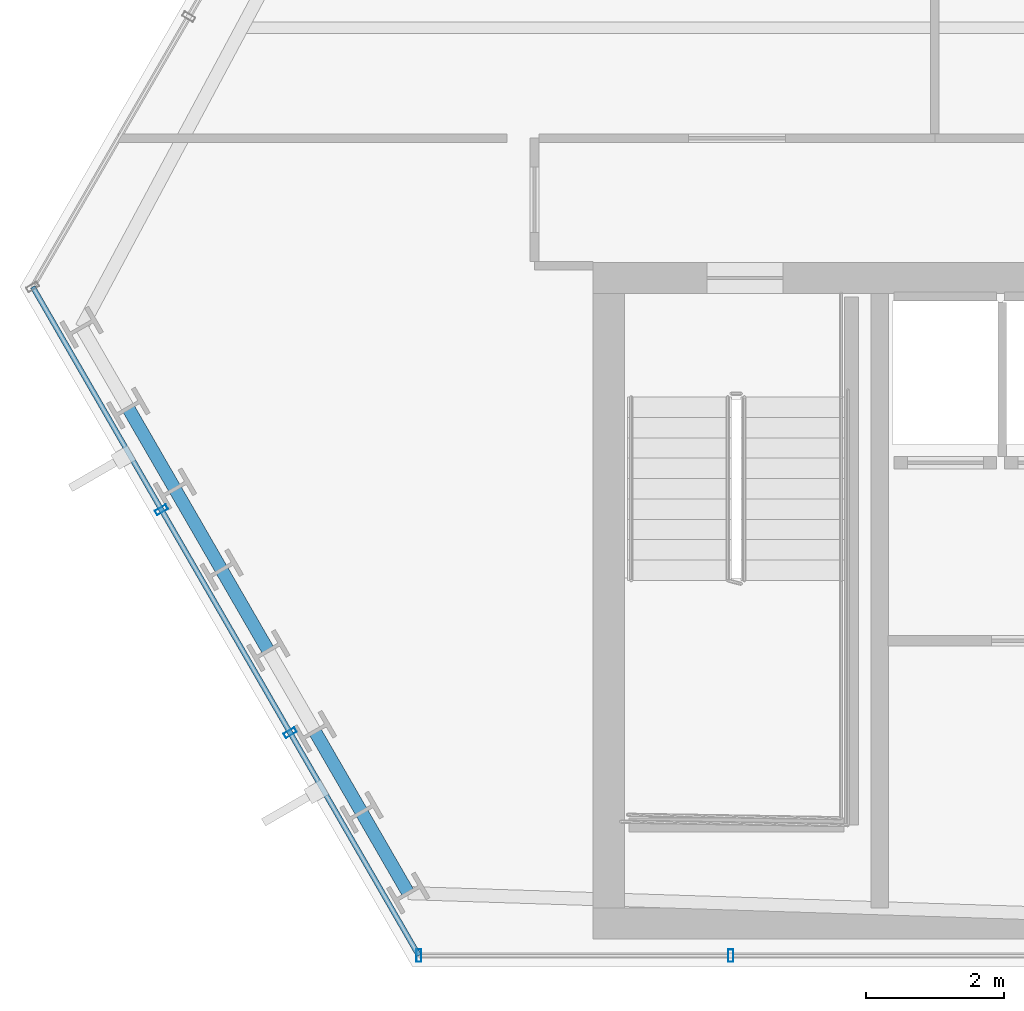
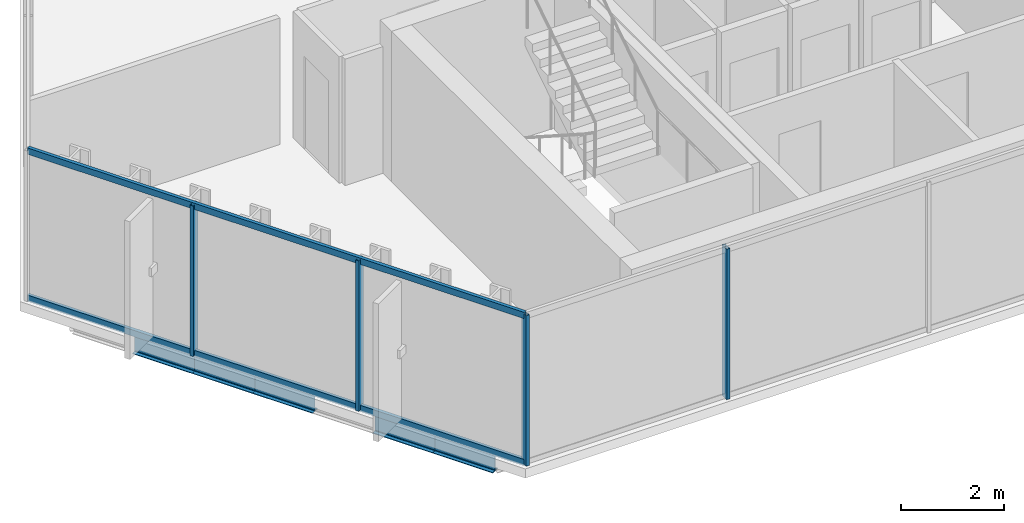
# One storey, part 2 of 33: 6 members, 5 beams, 2 elements without a shape of their own.
"""IFC4 building model written with IfcOpenShell, lengths in metres."""

from ifc_helpers import new_model, si_unit, direction, frame, origin, origin_2d, place, context, subcontext, project, spatial, hollow_rectangle, i_section, extrude, material, layer, layer_set, material_profile, profile_set, type_object, element, aggregate, save


model = new_model("IFC4")

# Units and contexts
model_context = context("Model", 3, precision=1e-05, world=origin(), true_north=direction((0.0, 1.0)))
body_context = subcontext(model_context, "Body", "Model", "MODEL_VIEW")
ifc_project = project(units=[si_unit("LENGTHUNIT", "METRE"), si_unit("AREAUNIT", "SQUARE_METRE"), si_unit("VOLUMEUNIT", "CUBIC_METRE"), si_unit("PLANEANGLEUNIT", "RADIAN"), si_unit("MASSUNIT", "GRAM", prefix="KILO")], contexts=[model_context])

# Site, building, storey
site_placement = place(None, origin())
site = spatial("IfcSite", under=ifc_project, at=site_placement, CompositionType="ELEMENT")
building_placement = place(site_placement, origin())
building = spatial("IfcBuilding", under=site, at=building_placement, Name="Ndaravel Arena Tower", CompositionType="ELEMENT")
storey_placement = place(building_placement, frame((0.0, 0.0, 153.60009765625)))
storey = spatial("IfcBuildingStorey", under=building, at=storey_placement, Name="L36", CompositionType="ELEMENT", Elevation=153.60009765625)

# Beams
ifc_material_1 = material(Name="Steel S355", Category="steel")
ifc_material_profile_1 = material_profile(ifc_material_1, i_section(OverallWidth=0.18994140625, OverallDepth=0.449951171875, WebThickness=0.009521484375, FlangeThickness=0.0146484375, FilletRadius=0.02099609375, at=origin_2d()), Name="IPE 450")
ifc_profile_set_1 = profile_set([ifc_material_profile_1], Name="Steel S355")
beam_type = type_object("IfcBeamType", Name="BM-SPAN-IPE450", PredefinedType="SPANDREL", material=ifc_profile_set_1)
for number, where, z_axis, x_axis, name in (
    (1, (19.715576171875, 13.08935546875, -0.445068359375), (0.500082007311, -0.865978051664, 0.0), (0.865978051664, 0.500082007311, 0.0), "L36 Perimeter Spandrel Beam SP-21"),
    (2, (20.3916015625, 11.918701171875, -0.445068359375), (0.49994655361, -0.866056258873, 0.0), (0.866056258873, 0.49994655361, 0.0), "L36 Perimeter Spandrel Beam SP-22"),
    (3, (21.0673828125, 10.748046875, -0.445068359375), (0.500082007311, -0.865978051664, 0.0), (0.865978051664, 0.500082007311, 0.0), "L36 Perimeter Spandrel Beam SP-23"),
    (4, (22.419189453125, 8.40673828125, -0.445068359375), (0.500082007311, -0.865978051664, 0.0), (0.865978051664, 0.500082007311, 0.0), "L36 Perimeter Spandrel Beam SP-25"),
    (5, (23.09521484375, 7.236083984375, -0.445068359375), (0.499868360126, -0.866101392762, 0.0), (0.866101392762, 0.499868360126, 0.0), "L36 Perimeter Spandrel Beam SP-26"),
):
    element("IfcBeam", number, at=place(storey_placement, frame(where, z_axis=z_axis, x_axis=x_axis)), inside=storey, type_object=beam_type, Name=name, PredefinedType="SPANDREL", context=body_context, shape_type="SweptSolid", body=[
        extrude(i_section(OverallWidth=0.18994140625, OverallDepth=0.449951171875, WebThickness=0.009521484375, FlangeThickness=0.0146484375, FilletRadius=0.02099609375, at=origin_2d()), origin(), (0.0, 0.0, 1.0), 1.351806640625),
    ])

# Curtain wall, members
ifc_material_2 = material(Name="Aluminium", Category="aluminium")
ifc_layer_1 = layer(ifc_material_2, 0.179931640625)
ifc_layer_set_1 = layer_set([ifc_layer_1], Name="Aluminium")
curtain_wall_type_1 = type_object("IfcCurtainWallType", Name="CW-SYS-03", PredefinedType="NOTDEFINED", material=ifc_layer_set_1)
curtain_wall_1_placement = place(storey_placement, origin())
curtain_wall_1 = element("IfcCurtainWall", 6, at=curtain_wall_1_placement, inside=storey, type_object=curtain_wall_type_1, Name="L36 Faceted Crystal Curtain Wall CW-L36-E01", PredefinedType="NOTDEFINED")
ifc_material_3 = material(Name="Aluminium", Category="aluminium")
ifc_material_profile_2 = material_profile(ifc_material_3, hollow_rectangle(XDim=0.074951171875, YDim=0.179931640625, WallThickness=0.00390625, at=origin_2d()), Name="CW MULLION 75x180x4")
ifc_profile_set_2 = profile_set([ifc_material_profile_2], Name="Aluminium")
member_type_1 = type_object("IfcMemberType", Name="MEM-CW-MUL180", PredefinedType="MULLION", material=ifc_profile_set_2)
member_1_placement = place(storey_placement, frame((23.92431640625, 5.159912109375, 0.0), z_axis=(0.0, 0.0, 1.0), x_axis=(1.0, 0.0, 0.0)))
member_1 = element("IfcMember", 7, at=member_1_placement, type_object=member_type_1, Name="CW-L36-E01 Mullion 00", PredefinedType="MULLION", context=body_context, shape_type="SweptSolid", body=[
    extrude(hollow_rectangle(XDim=0.074951171875, YDim=0.179931640625, WallThickness=0.00390625, at=origin_2d()), origin(), (0.0, 0.0, 1.0), 3.579833984375),
])
member_2_placement = place(storey_placement, frame((28.443115234375, 5.159912109375, 0.0), z_axis=(0.0, 0.0, 1.0), x_axis=(1.0, 0.0, 0.0)))
member_2 = element("IfcMember", 8, at=member_2_placement, type_object=member_type_1, Name="CW-L36-E01 Mullion 01", PredefinedType="MULLION", context=body_context, shape_type="SweptSolid", body=[
    extrude(hollow_rectangle(XDim=0.074951171875, YDim=0.179931640625, WallThickness=0.00390625, at=origin_2d()), origin(), (0.0, 0.0, 1.0), 3.579833984375),
])
aggregate(curtain_wall_1, [member_1, member_2])

ifc_material_4 = material(Name="Aluminium", Category="aluminium")
ifc_layer_2 = layer(ifc_material_4, 0.179931640625)
ifc_layer_set_2 = layer_set([ifc_layer_2], Name="Aluminium")
curtain_wall_type_2 = type_object("IfcCurtainWallType", Name="CW-SYS-02", PredefinedType="NOTDEFINED", material=ifc_layer_set_2)
curtain_wall_2_placement = place(storey_placement, origin())
curtain_wall_2 = element("IfcCurtainWall", 9, at=curtain_wall_2_placement, inside=storey, type_object=curtain_wall_type_2, Name="L36 Faceted Crystal Curtain Wall CW-L36-E06", PredefinedType="NOTDEFINED")
member_3_placement = place(storey_placement, frame((20.1962890625, 11.616943359375, 0.0), z_axis=(0.0, 0.0, 1.0), x_axis=(0.5, -0.866025403784, 0.0)))
member_3 = element("IfcMember", 10, at=member_3_placement, type_object=member_type_1, Name="CW-L36-E06 Mullion 01", PredefinedType="MULLION", context=body_context, shape_type="SweptSolid", body=[
    extrude(hollow_rectangle(XDim=0.074951171875, YDim=0.179931640625, WallThickness=0.00390625, at=origin_2d()), origin(), (0.0, 0.0, 1.0), 3.579833984375),
])
member_4_placement = place(storey_placement, frame((22.060302734375, 8.388427734375, 0.0), z_axis=(0.0, 0.0, 1.0), x_axis=(0.5, -0.866025403784, 0.0)))
member_4 = element("IfcMember", 11, at=member_4_placement, type_object=member_type_1, Name="CW-L36-E06 Mullion 02", PredefinedType="MULLION", context=body_context, shape_type="SweptSolid", body=[
    extrude(hollow_rectangle(XDim=0.074951171875, YDim=0.179931640625, WallThickness=0.00390625, at=origin_2d()), origin(), (0.0, 0.0, 1.0), 3.579833984375),
])
ifc_material_5 = material(Name="Aluminium", Category="aluminium")
ifc_material_profile_3 = material_profile(ifc_material_5, hollow_rectangle(XDim=0.074951171875, YDim=0.14990234375, WallThickness=0.00390625, at=origin_2d()), Name="CW TRANSOM 75x150x4")
ifc_profile_set_3 = profile_set([ifc_material_profile_3], Name="Aluminium")
member_type_2 = type_object("IfcMemberType", Name="MEM-CW-TRN150", PredefinedType="USERDEFINED", material=ifc_profile_set_3)
member_5_placement = place(storey_placement, frame((18.332275390625, 14.845458984375, 0.039794921875), z_axis=(0.500005895944, -0.866021999733, 0.0), x_axis=(0.866021999733, 0.500005895944, 0.0)))
member_5 = element("IfcMember", 12, at=member_5_placement, type_object=member_type_2, Name="CW-L36-E06 Transom 01", ObjectType="TRANSOM", PredefinedType="USERDEFINED", context=body_context, shape_type="SweptSolid", body=[
    extrude(hollow_rectangle(XDim=0.074951171875, YDim=0.14990234375, WallThickness=0.00390625, at=origin_2d()), origin(), (0.0, 0.0, 1.0), 11.183837890625),
])
member_6_placement = place(storey_placement, frame((18.332275390625, 14.845458984375, 3.539794921875), z_axis=(0.500005895944, -0.866021999733, 0.0), x_axis=(0.866021999733, 0.500005895944, 0.0)))
member_6 = element("IfcMember", 13, at=member_6_placement, type_object=member_type_2, Name="CW-L36-E06 Transom 02", ObjectType="TRANSOM", PredefinedType="USERDEFINED", context=body_context, shape_type="SweptSolid", body=[
    extrude(hollow_rectangle(XDim=0.074951171875, YDim=0.14990234375, WallThickness=0.00390625, at=origin_2d()), origin(), (0.0, 0.0, 1.0), 11.183837890625),
])
aggregate(curtain_wall_2, [member_3, member_4, member_5, member_6])

save(model, "model.ifc")
